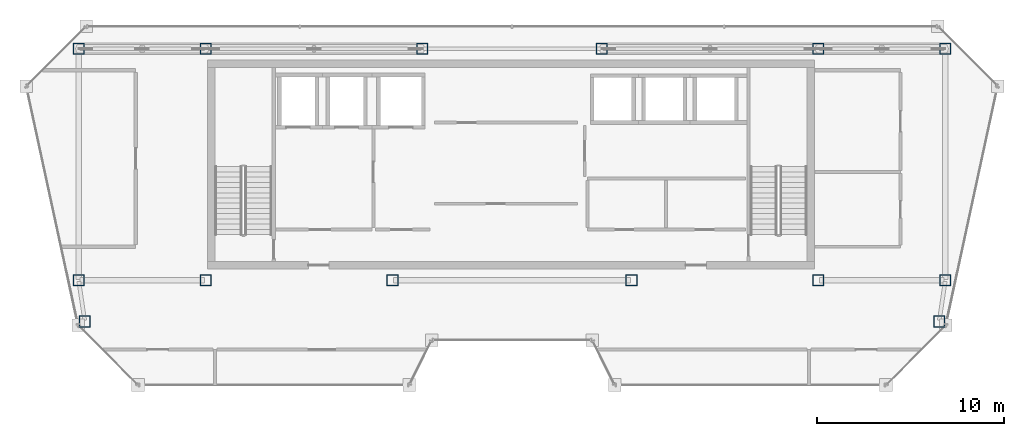
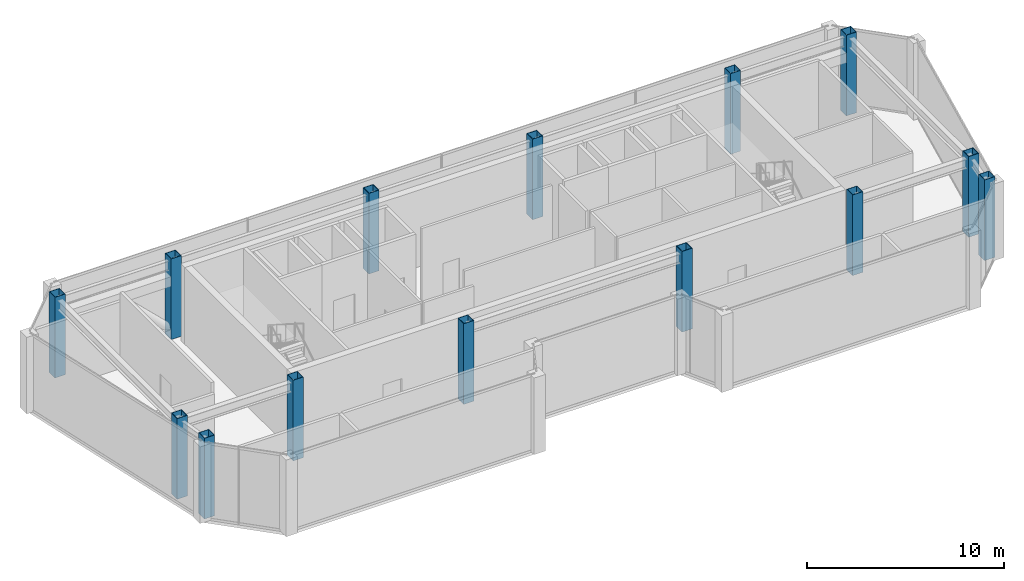
# One storey, part 1 of 20: 14 columns.
"""IFC4 building model written with IfcOpenShell, lengths in metres."""

import ifcopenshell
import ifcopenshell.guid

model = None  # the IFC model being written
_history = None  # IfcOwnerHistory: only IFC2X3 demands one
_inside = {}  # id of a spatial element -> (the spatial element, [elements in it])
_under = {}  # id of a project, library or spatial element -> (it, [spatial elements below it])
_declared = {}  # id of a project -> (the project, [libraries it declares])
_typed = {}  # id of a type object -> (the type object, [elements of that type])
_made_of = {}  # id of a material, layer set ... -> (it, [elements and type objects made of it])


def new_model(schema):
    """Start an empty IFC model of exactly this schema.

    Asked for "IFC4X3", IfcOpenShell would pick the latest addendum, in which some entities
    have other attributes; the version numbers below select the first issue.
    IFC2X3 requires an IfcOwnerHistory on every rooted entity: one is made here for all.
    """
    global model, _history
    if schema == "IFC4X3":
        model = ifcopenshell.file(schema_version=(4, 3, 0, 0))
    else:
        model = ifcopenshell.file(schema=schema)
    _inside.clear()
    _under.clear()
    _declared.clear()
    _typed.clear()
    _made_of.clear()
    _history = None
    if model.schema == "IFC2X3":
        org = make("IfcOrganization", Name="unknown")
        user = make(
            "IfcPersonAndOrganization",
            ThePerson=make("IfcPerson", FamilyName="unknown"),
            TheOrganization=org,
        )
        app = make(
            "IfcApplication",
            ApplicationDeveloper=org,
            Version="unknown",
            ApplicationFullName="unknown",
            ApplicationIdentifier="unknown",
        )
        _history = make(
            "IfcOwnerHistory",
            OwningUser=user,
            OwningApplication=app,
            ChangeAction="ADDED",
            CreationDate=0,
        )
    return model


def make(cls, **values):
    """One entity of the class cls with the attributes given. An attribute that is None is left unset."""
    return model.create_entity(
        cls, **{name: value for name, value in values.items() if value is not None}
    )


def rooted(cls, **values):
    """An entity with a GlobalId (a new one), such as an element, a storey or a relation."""
    return make(cls, GlobalId=ifcopenshell.guid.new(), OwnerHistory=_history, **values)


def si_unit(unit_type, name, prefix=None):
    """IfcSIUnit, for example si_unit("LENGTHUNIT", "METRE", prefix="MILLI")."""
    return make("IfcSIUnit", UnitType=unit_type, Prefix=prefix, Name=name)


def assignment(units):
    """IfcUnitAssignment: the units of a project."""
    return None if units is None else make("IfcUnitAssignment", Units=units)


def point(xyz):
    """IfcCartesianPoint."""
    return None if xyz is None else make("IfcCartesianPoint", Coordinates=xyz)


def direction(xyz):
    """IfcDirection."""
    return None if xyz is None else make("IfcDirection", DirectionRatios=xyz)


def frame(location, z_axis=None, x_axis=None):
    """IfcAxis2Placement3D, a coordinate frame: its origin and axes. An axis left out is left unset."""
    return make(
        "IfcAxis2Placement3D",
        Location=point(location),
        Axis=direction(z_axis),
        RefDirection=direction(x_axis),
    )


def frame_2d(location, x_axis=None):
    """IfcAxis2Placement2D, a coordinate frame in the plane: its origin and x axis."""
    return make(
        "IfcAxis2Placement2D", Location=point(location), RefDirection=direction(x_axis)
    )


def origin():
    """The frame at (0, 0, 0) with its axes left unset."""
    return frame((0.0, 0.0, 0.0))


def origin_2d():
    """The frame at (0, 0) in the plane with its x axis left unset."""
    return frame_2d((0.0, 0.0))


def place(relative_to, where):
    """IfcLocalPlacement: puts the frame where relative to a parent placement (None: the world)."""
    return make(
        "IfcLocalPlacement", PlacementRelTo=relative_to, RelativePlacement=where
    )


def context(
    kind, dimensions, precision=None, world=None, true_north=None, identifier=None
):
    """IfcGeometricRepresentationContext, for example the 3D "Model" context."""
    return make(
        "IfcGeometricRepresentationContext",
        ContextIdentifier=identifier,
        ContextType=kind,
        CoordinateSpaceDimension=dimensions,
        Precision=precision,
        WorldCoordinateSystem=world,
        TrueNorth=true_north,
    )


def subcontext(parent, identifier, kind, view, scale=None):
    """IfcGeometricRepresentationSubContext, for example "Body" below "Model"."""
    return make(
        "IfcGeometricRepresentationSubContext",
        ContextIdentifier=identifier,
        ContextType=kind,
        ParentContext=parent,
        TargetScale=scale,
        TargetView=view,
    )


def project(units=None, contexts=None):
    """IfcProject with its units and contexts."""
    return rooted(
        "IfcProject",
        Name="project",
        RepresentationContexts=contexts,
        UnitsInContext=assignment(units),
    )


def spatial(cls, under=None, at=None, **own):
    """A site, building, storey or space (cls), placed at a placement, below another one or the project."""
    s = rooted(cls, ObjectPlacement=at, **own)
    if under is not None:
        _under.setdefault(under.id(), (under, []))[1].append(s)
    return s


def profile(cls, at=None, kind="AREA", **sizes):
    """A parametric profile (cls). Its sizes go by their IFC names, for example OverallWidth=200.0."""
    return make(cls, ProfileType=kind, Position=at, **sizes)


def hollow_rectangle(**sizes):
    """IfcRectangleHollowProfileDef."""
    return profile("IfcRectangleHollowProfileDef", **sizes)


def extrude(swept, where, along, depth):
    """IfcExtrudedAreaSolid: the profile swept, set in the frame where, extruded along a direction by depth."""
    return make(
        "IfcExtrudedAreaSolid",
        SweptArea=swept,
        Position=where,
        ExtrudedDirection=direction(along),
        Depth=depth,
    )


def shape(context_of_items, identifier, shape_type, items):
    """IfcShapeRepresentation: the items that make up one representation, for example the "Body"."""
    return make(
        "IfcShapeRepresentation",
        ContextOfItems=context_of_items,
        RepresentationIdentifier=identifier,
        RepresentationType=shape_type,
        Items=items,
    )


def material(Name=None, Category=None):
    """IfcMaterial."""
    return make("IfcMaterial", Name=Name, Category=Category)


def material_profile(
    of_material, cross_section, Name=None, Category=None, Priority=None
):
    """IfcMaterialProfile: a cross section and its material."""
    return make(
        "IfcMaterialProfile",
        Name=Name,
        Material=of_material,
        Profile=cross_section,
        Priority=Priority,
        Category=Category,
    )


def profile_set(profiles, Name=None, composite=None):
    """IfcMaterialProfileSet."""
    return make(
        "IfcMaterialProfileSet",
        Name=Name,
        MaterialProfiles=profiles,
        CompositeProfile=composite,
    )


def made_of(thing, what):
    """Note that an element or type object is made of a material, layer set ...; save() writes the relation."""
    if what is not None:
        _made_of.setdefault(what.id(), (what, []))[1].append(thing)
    return thing


def type_object(cls, material=None, **own):
    """A type object (cls), such as IfcWallType, which elements share."""
    return made_of(rooted(cls, **own), material)


def element(
    cls,
    number,
    at=None,
    inside=None,
    cuts=None,
    type_object=None,
    material=None,
    context=None,
    identifier="Body",
    shape_type=None,
    held_by="IfcProductDefinitionShape",
    body=None,
    shapes=None,
    **own,
):
    """One element of the class cls, such as IfcWall. Its Tag is "e" and its number.

    at: its placement. inside: the storey or other place that contains it. cuts: it is an
    opening in that element (IfcRelVoidsElement). A single representation is given by context,
    identifier, shape_type and body (its items); several are given by shapes. held_by: the class
    of the entity that holds the representations. save() writes the other relations.
    """
    e = rooted(cls, Tag="e%d" % number, ObjectPlacement=at, **own)
    if body is not None:
        shapes = [shape(context, identifier, shape_type, body)]
    if shapes is not None:
        e.Representation = make(held_by, Representations=shapes)
    if inside is not None:
        _inside.setdefault(inside.id(), (inside, []))[1].append(e)
    if cuts is not None:
        rooted(
            "IfcRelVoidsElement", RelatingBuildingElement=cuts, RelatedOpeningElement=e
        )
    if type_object is not None:
        _typed.setdefault(type_object.id(), (type_object, []))[1].append(e)
    return made_of(e, material)


def aggregate(whole, parts):
    """IfcRelAggregates: a whole, such as a stair, and the parts it consists of."""
    return rooted("IfcRelAggregates", RelatingObject=whole, RelatedObjects=parts)


def save(model, path):
    """Write the relations noted so far, then the file.

    IfcRelAggregates (storeys below a building ...), IfcRelContainedInSpatialStructure (elements
    in a storey), IfcRelDefinesByType, IfcRelAssociatesMaterial and IfcRelDeclares: one each for
    every whole, place, type object, material and project.
    """
    for whole, parts in _under.values():
        aggregate(whole, parts)
    for where, things in _inside.values():
        rooted(
            "IfcRelContainedInSpatialStructure",
            RelatedElements=things,
            RelatingStructure=where,
        )
    for kind, things in _typed.values():
        rooted("IfcRelDefinesByType", RelatedObjects=things, RelatingType=kind)
    for what, things in _made_of.values():
        rooted("IfcRelAssociatesMaterial", RelatedObjects=things, RelatingMaterial=what)
    for by, libraries in _declared.values():
        rooted("IfcRelDeclares", RelatingContext=by, RelatedDefinitions=libraries)
    model.write(path)


model = new_model("IFC4")

# Units and contexts
model_context = context("Model", 3, precision=1e-05, world=origin(), true_north=direction((0.0, 1.0)))
body_context = subcontext(model_context, "Body", "Model", "MODEL_VIEW")
ifc_project = project(units=[si_unit("LENGTHUNIT", "METRE"), si_unit("AREAUNIT", "SQUARE_METRE"), si_unit("VOLUMEUNIT", "CUBIC_METRE"), si_unit("PLANEANGLEUNIT", "RADIAN"), si_unit("MASSUNIT", "GRAM", prefix="KILO")], contexts=[model_context])

# Site, building, storey
site_placement = place(None, origin())
site = spatial("IfcSite", under=ifc_project, at=site_placement, CompositionType="ELEMENT")
building_placement = place(site_placement, origin())
building = spatial("IfcBuilding", under=site, at=building_placement, Name="Saevonmaru Cultural Tower", CompositionType="ELEMENT")
storey_placement = place(building_placement, frame((0.0, 0.0, 314.199951171875)))
storey = spatial("IfcBuildingStorey", under=building, at=storey_placement, Name="L75", CompositionType="ELEMENT", Elevation=314.199951171875)

# Columns
ifc_material = material(Name="Steel SM355", Category="steel")
ifc_material_profile = material_profile(ifc_material, hollow_rectangle(XDim=0.60009765625, YDim=0.60009765625, WallThickness=0.028076171875, at=origin_2d()), Name="BOX-600x600x28")
ifc_profile_set = profile_set([ifc_material_profile], Name="Steel SM355")
column_type = type_object("IfcColumnType", Name="COL-BOX-600", PredefinedType="COLUMN", material=ifc_profile_set)
for number, where, z_axis, x_axis, name in (
    (1, (6.800048828125, 54.800048828125, 0.0), (0.0, 0.0, 1.0), (1.0, 0.0, 0.0), "L75 Column TC-N1N"),
    (2, (13.60009765625, 54.800048828125, 0.0), (0.0, 0.0, 1.0), (1.0, 0.0, 0.0), "L75 Column TC-N2N"),
    (3, (25.199951171875, 54.800048828125, 0.0), (0.0, 0.0, 1.0), (1.0, 0.0, 0.0), "L75 Column TC-N3N"),
    (4, (34.800048828125, 54.800048828125, 0.0), (0.0, 0.0, 1.0), (1.0, 0.0, 0.0), "L75 Column TC-N4N"),
    (5, (46.39990234375, 54.800048828125, 0.0), (0.0, 0.0, 1.0), (1.0, 0.0, 0.0), "L75 Column TC-N5N"),
    (6, (53.199951171875, 54.800048828125, 0.0), (0.0, 0.0, 1.0), (1.0, 0.0, 0.0), "L75 Column TC-N6N"),
    (7, (6.800048828125, 42.39990234375, 0.0), (0.0, 0.0, 1.0), (1.0, 0.0, 0.0), "L75 Column TC-S1C"),
    (8, (13.60009765625, 42.39990234375, 0.0), (0.0, 0.0, 1.0), (1.0, 0.0, 0.0), "L75 Column TC-S2C"),
    (9, (23.60009765625, 42.39990234375, 0.0), (0.0, 0.0, 1.0), (1.0, 0.0, 0.0), "L75 Column TC-S3C"),
    (10, (36.39990234375, 42.39990234375, 0.0), (0.0, 0.0, 1.0), (1.0, 0.0, 0.0), "L75 Column TC-S4C"),
    (11, (46.39990234375, 42.39990234375, 0.0), (0.0, 0.0, 1.0), (1.0, 0.0, 0.0), "L75 Column TC-S5C"),
    (12, (53.199951171875, 42.39990234375, 0.0), (0.0, 0.0, 1.0), (1.0, 0.0, 0.0), "L75 Column TC-S6C"),
    (13, (7.132080078125, 40.199951171875, 0.0), (0.0, 0.0, 1.0), (1.0, 0.0, 0.0), "L75 Column TC-WO-Y402"),
    (14, (52.867919921875, 40.199951171875, 0.0), (0.0, 0.0, 1.0), (1.0, 0.0, 0.0), "L75 Column TC-EO-Y402"),
):
    element("IfcColumn", number, at=place(storey_placement, frame(where, z_axis=z_axis, x_axis=x_axis)), inside=storey, type_object=column_type, Name=name, PredefinedType="COLUMN", context=body_context, shape_type="SweptSolid", body=[
        extrude(hollow_rectangle(XDim=0.60009765625, YDim=0.60009765625, WallThickness=0.028076171875, at=origin_2d()), origin(), (0.0, 0.0, 1.0), 5.0),
    ])

save(model, "model.ifc")
